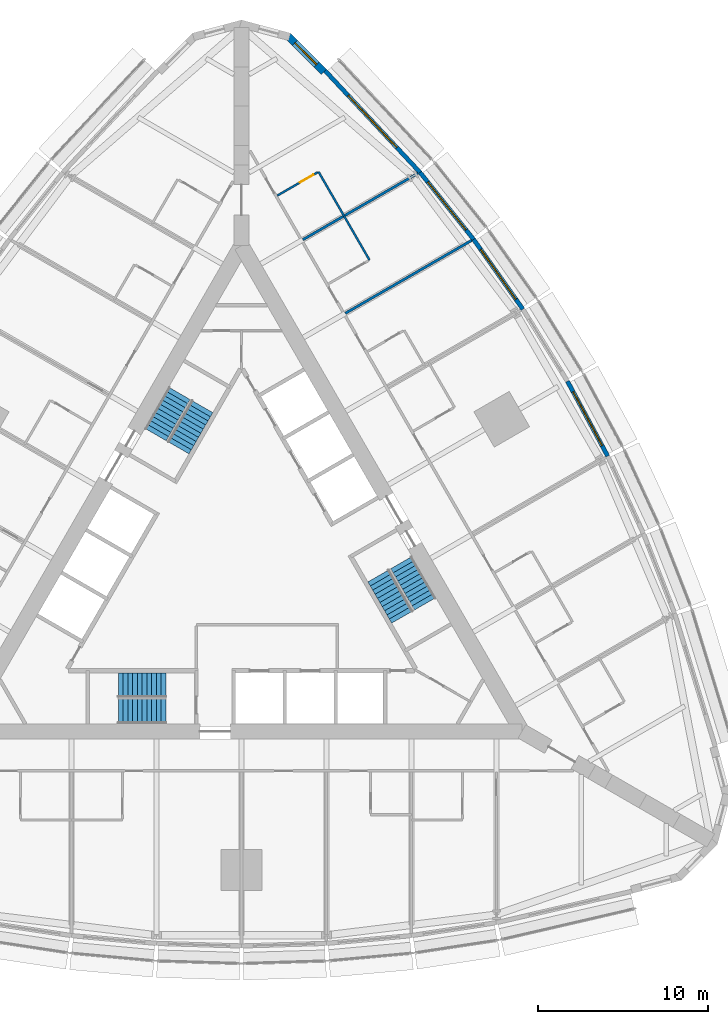
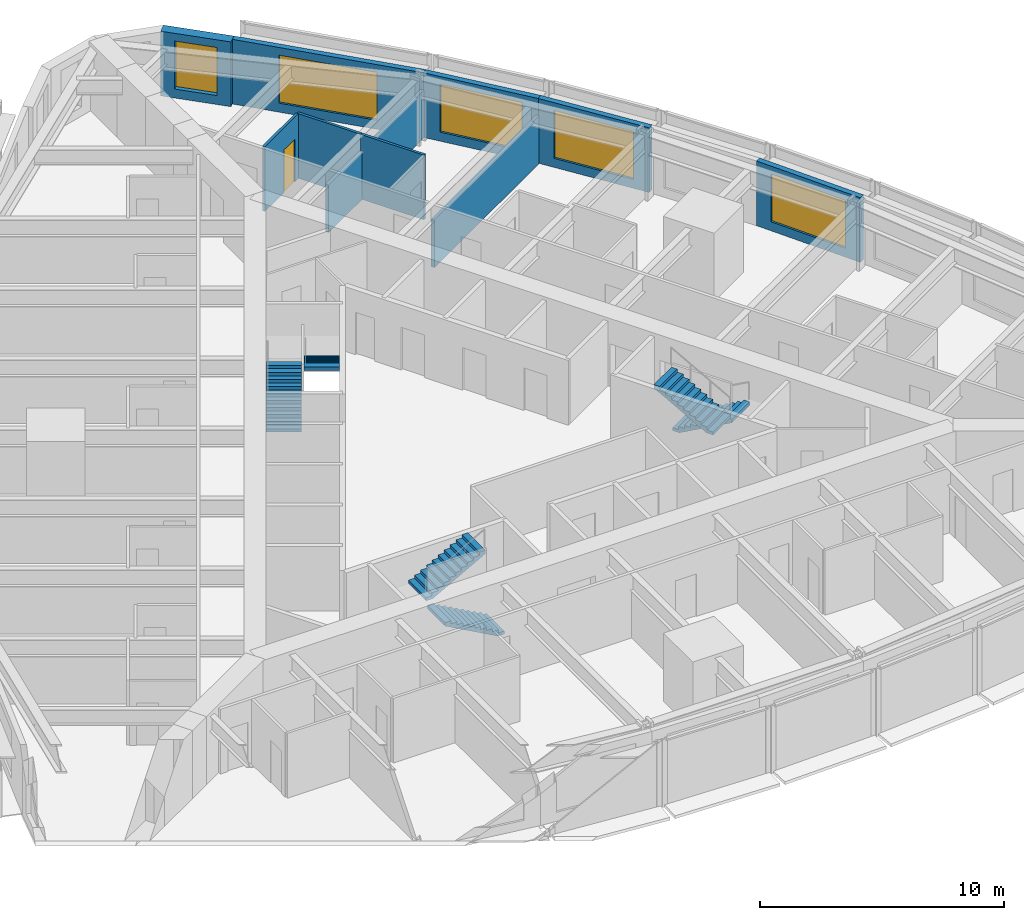
# One storey, part 13 of 14: 10 walls, 6 stair flights, 5 windows, 1 door, 6 openings, 3 elements without a shape of their own.
"""IFC4 building model written with IfcOpenShell, lengths in metres."""

from ifc_helpers import new_model, si_unit, direction, frame, frame_2d, origin, place, context, subcontext, project, spatial, polyline, rectangle, outline, extrude, material, layer, layer_set, type_object, element, fill, aggregate, save


model = new_model("IFC4")

# Units and contexts
model_context = context("Model", 3, precision=1e-05, world=origin(), true_north=direction((0.0, 1.0)))
body_context = subcontext(model_context, "Body", "Model", "MODEL_VIEW")
ifc_project = project(units=[si_unit("LENGTHUNIT", "METRE"), si_unit("AREAUNIT", "SQUARE_METRE"), si_unit("VOLUMEUNIT", "CUBIC_METRE"), si_unit("PLANEANGLEUNIT", "RADIAN"), si_unit("MASSUNIT", "GRAM", prefix="KILO")], contexts=[model_context])

# Site, building, storey
site_placement = place(None, origin())
site = spatial("IfcSite", under=ifc_project, at=site_placement, CompositionType="ELEMENT")
building_placement = place(site_placement, origin())
building = spatial("IfcBuilding", under=site, at=building_placement, Name="Trikona Tower", CompositionType="ELEMENT")
storey_placement = place(building_placement, frame((0.0, 0.0, 42.10009765625)))
storey = spatial("IfcBuildingStorey", under=building, at=storey_placement, Name="L09", CompositionType="ELEMENT", Elevation=42.10009765625)

# Walls
ifc_material_1 = material(Name="Metal stud and cement board", Category="gypsum")
ifc_layer_1 = layer(ifc_material_1, 0.1201171875)
ifc_layer_set_1 = layer_set([ifc_layer_1], Name="Bathroom wall 120")
wall_type_1 = type_object("IfcWallType", Name="Bathroom wall 120", PredefinedType="PLUMBINGWALL", material=ifc_layer_set_1)
for number, where, z_axis, x_axis, name in (
    (1, (7.53271484375, 18.205322265625, 0.0), (0.0, 0.0, 1.0), (-0.499990139034, 0.866031096941, 0.0), "Bathroom wall 0911"),
    (2, (6.03271484375, 20.803466796875, 0.0), (0.0, 0.0, 1.0), (-0.499990139034, 0.866031096941, 0.0), "Bathroom wall 0912"),
):
    element("IfcWall", number, at=place(storey_placement, frame(where, z_axis=z_axis, x_axis=x_axis)), inside=storey, type_object=wall_type_1, Name=name, PredefinedType="PLUMBINGWALL", context=body_context, shape_type="SweptSolid", body=[
        extrude(rectangle(XDim=3.0, YDim=0.1201171875, at=frame_2d((1.5, 0.0))), origin(), (0.0, 0.0, 1.0), 3.23486328125),
    ])

# Wall, opening, door
wall_1_placement = place(storey_placement, frame((2.10791015625, 22.001708984375, 0.0), z_axis=(0.0, 0.0, 1.0), x_axis=(0.866035715982, 0.499982138324, 0.0)))
wall_1 = element("IfcWall", 3, at=wall_1_placement, inside=storey, type_object=wall_type_1, Name="Bathroom wall 0912", PredefinedType="PLUMBINGWALL", context=body_context, shape_type="SweptSolid", body=[
    extrude(rectangle(XDim=2.73974609375, YDim=0.1201171875, at=frame_2d((1.369873046875, 0.0))), origin(), (0.0, 0.0, 1.0), 3.23486328125),
])
opening_1_placement = place(wall_1_placement, frame((1.550048828125, 0.0, 0.0)))
opening_1 = element("IfcOpeningElement", 4, at=opening_1_placement, cuts=wall_1, Name="Opening D2", PredefinedType="OPENING", context=body_context, shape_type="SweptSolid", body=[
    extrude(rectangle(XDim=0.89990234375, YDim=2.1298828125, at=frame_2d((0.449951171875, 1.06494140625))), frame((0.0, 0.070068359375, 0.0), z_axis=(0.0, -1.0, 0.0), x_axis=(1.0, 0.0, 0.0)), (0.0, 0.0, 1.0), 0.14013671875),
])
ifc_material_2 = material(Name="Steel door frame with solid-core timber leaf", Category="steel")
door_type = type_object("IfcDoorType", Name="Bathroom door 900x2130", OperationType="SLIDING_TO_LEFT", PredefinedType="DOOR", material=ifc_material_2)
door_placement = place(opening_1_placement, origin())
door = element("IfcDoor", 5, at=door_placement, inside=storey, type_object=door_type, Name="Bathroom door 0912", OperationType="SLIDING_TO_LEFT", OverallHeight=2.1298828125, OverallWidth=0.89990234375, PredefinedType="DOOR", context=body_context, shape_type="SweptSolid", body=[
    extrude(rectangle(XDim=0.89990234375, YDim=2.1298828125, at=frame_2d((0.449951171875, 1.06494140625))), frame((0.0, 0.02490234375, 0.0), z_axis=(0.0, -1.0, 0.0), x_axis=(1.0, 0.0, 0.0)), (0.0, 0.0, 1.0), 0.050048828125),
])
fill(opening_1, door)

# Wall, opening, window
ifc_material_3 = material(Name="Brick-faced precast concrete", Category="masonry")
ifc_layer_2 = layer(ifc_material_3, 0.449951171875)
ifc_layer_set_2 = layer_set([ifc_layer_2], Name="Brick-faced corner wall 450")
wall_type_2 = type_object("IfcWallType", Name="Brick-faced corner wall 450", PredefinedType="SOLIDWALL", material=ifc_layer_set_2)
wall_2_placement = place(storey_placement, frame((4.8408203125, 29.285888671875, 0.0), z_axis=(0.0, 0.0, 1.0), x_axis=(-0.707106781187, 0.707106781187, 0.0)))
wall_2 = element("IfcWall", 6, at=wall_2_placement, inside=storey, type_object=wall_type_2, Name="External wall L09-20", PredefinedType="SOLIDWALL", context=body_context, shape_type="SweptSolid", body=[
    extrude(rectangle(XDim=2.98828125, YDim=0.449951171875, at=frame_2d((1.494140625, 0.0))), origin(), (0.0, 0.0, 1.0), 3.23486328125),
])
opening_2_placement = place(wall_2_placement, frame((0.59423828125, 0.0, 0.449951171875)))
opening_2 = element("IfcOpeningElement", 7, at=opening_2_placement, cuts=wall_2, Name="Opening W1824", PredefinedType="OPENING", context=body_context, shape_type="SweptSolid", body=[
    extrude(rectangle(XDim=1.800048828125, YDim=2.39990234375, at=frame_2d((0.89990234375, 1.199951171875))), frame((0.0, 0.23486328125, 0.0), z_axis=(0.0, -1.0, 0.0), x_axis=(1.0, 0.0, 0.0)), (0.0, 0.0, 1.0), 0.469970703125),
])
ifc_material_4 = material(Name="Aluminium-framed double glazing", Category="aluminium")
window_type_1 = type_object("IfcWindowType", Name="Window 1800x2400", PartitioningType="SINGLE_PANEL", PredefinedType="WINDOW", material=ifc_material_4)
window_1_placement = place(opening_2_placement, origin())
window_1 = element("IfcWindow", 8, at=window_1_placement, inside=storey, type_object=window_type_1, Name="Window 0912", OverallHeight=2.39990234375, OverallWidth=1.800048828125, PartitioningType="SINGLE_PANEL", PredefinedType="WINDOW", context=body_context, shape_type="SweptSolid", body=[
    extrude(rectangle(XDim=1.800048828125, YDim=2.39990234375, at=frame_2d((0.89990234375, 1.199951171875))), frame((0.0, 0.030029296875, 0.0), z_axis=(0.0, -1.0, 0.0), x_axis=(1.0, 0.0, 0.0)), (0.0, 0.0, 1.0), 0.06005859375),
])
fill(opening_2, window_1)

ifc_material_5 = material(Name="Insulated precast concrete spandrel panel", Category="concrete")
ifc_layer_3 = layer(ifc_material_5, 0.25)
ifc_layer_set_3 = layer_set([ifc_layer_3], Name="Inner skin wall 250")
wall_type_3 = type_object("IfcWallType", Name="Inner skin wall 250", PredefinedType="STANDARD", material=ifc_layer_set_3)
wall_3_placement = place(storey_placement, frame((21.546630859375, 6.6708984375, 0.0), z_axis=(0.0, 0.0, 1.0), x_axis=(-0.473412820489, 0.880840678782, 0.0)))
wall_3 = element("IfcWall", 9, at=wall_3_placement, inside=storey, type_object=wall_type_3, Name="External wall L09-15", PredefinedType="STANDARD", context=body_context, shape_type="SweptSolid", body=[
    extrude(rectangle(XDim=5.00244140625, YDim=0.25, at=frame_2d((2.501220703125, 0.0))), origin(), (0.0, 0.0, 1.0), 3.23486328125),
])
opening_3_placement = place(wall_3_placement, frame((0.701171875, 0.0, 0.449951171875)))
opening_3 = element("IfcOpeningElement", 10, at=opening_3_placement, cuts=wall_3, Name="Opening W3624", PredefinedType="OPENING", context=body_context, shape_type="SweptSolid", body=[
    extrude(rectangle(XDim=3.60009765625, YDim=2.39990234375, at=frame_2d((1.800048828125, 1.199951171875))), frame((0.0, 0.135009765625, 0.0), z_axis=(0.0, -1.0, 0.0), x_axis=(1.0, 0.0, 0.0)), (0.0, 0.0, 1.0), 0.27001953125),
])
ifc_material_6 = material(Name="Aluminium-framed double glazing", Category="aluminium")
window_type_2 = type_object("IfcWindowType", Name="Window 3600x2400", PartitioningType="SINGLE_PANEL", PredefinedType="WINDOW", material=ifc_material_6)
window_2_placement = place(opening_3_placement, origin())
window_2 = element("IfcWindow", 11, at=window_2_placement, inside=storey, type_object=window_type_2, Name="Window 0909", OverallHeight=2.39990234375, OverallWidth=3.60009765625, PartitioningType="SINGLE_PANEL", PredefinedType="WINDOW", context=body_context, shape_type="SweptSolid", body=[
    extrude(rectangle(XDim=3.60009765625, YDim=2.39990234375, at=frame_2d((1.800048828125, 1.199951171875))), frame((0.0, 0.030029296875, 0.0), z_axis=(0.0, -1.0, 0.0), x_axis=(1.0, 0.0, 0.0)), (0.0, 0.0, 1.0), 0.06005859375),
])
fill(opening_3, window_2)

wall_4_placement = place(storey_placement, frame((16.5546875, 15.318115234375, 0.0), z_axis=(0.0, 0.0, 1.0), x_axis=(-0.5766431066, 0.81699616132, 0.0)))
wall_4 = element("IfcWall", 12, at=wall_4_placement, inside=storey, type_object=wall_type_3, Name="External wall L09-17", PredefinedType="STANDARD", context=body_context, shape_type="SweptSolid", body=[
    extrude(rectangle(XDim=5.02099609375, YDim=0.25, at=frame_2d((2.510498046875, 0.0))), origin(), (0.0, 0.0, 1.0), 3.23486328125),
])
opening_4_placement = place(wall_4_placement, frame((0.71044921875, 0.0, 0.449951171875)))
opening_4 = element("IfcOpeningElement", 13, at=opening_4_placement, cuts=wall_4, Name="Opening W3624", PredefinedType="OPENING", context=body_context, shape_type="SweptSolid", body=[
    extrude(rectangle(XDim=3.60009765625, YDim=2.39990234375, at=frame_2d((1.800048828125, 1.199951171875))), frame((0.0, 0.135009765625, 0.0), z_axis=(0.0, -1.0, 0.0), x_axis=(1.0, 0.0, 0.0)), (0.0, 0.0, 1.0), 0.27001953125),
])
window_3_placement = place(opening_4_placement, origin())
window_3 = element("IfcWindow", 14, at=window_3_placement, inside=storey, type_object=window_type_2, Name="Window 0910", OverallHeight=2.39990234375, OverallWidth=3.60009765625, PartitioningType="SINGLE_PANEL", PredefinedType="WINDOW", context=body_context, shape_type="SweptSolid", body=[
    extrude(rectangle(XDim=3.60009765625, YDim=2.39990234375, at=frame_2d((1.800048828125, 1.199951171875))), frame((0.0, 0.030029296875, 0.0), z_axis=(0.0, -1.0, 0.0), x_axis=(1.0, 0.0, 0.0)), (0.0, 0.0, 1.0), 0.06005859375),
])
fill(opening_4, window_3)

wall_5_placement = place(storey_placement, frame((13.663818359375, 19.4140625, 0.0), z_axis=(0.0, 0.0, 1.0), x_axis=(-0.624594965756, 0.780948864364, 0.0)))
wall_5 = element("IfcWall", 15, at=wall_5_placement, inside=storey, type_object=wall_type_3, Name="External wall L09-18", PredefinedType="STANDARD", context=body_context, shape_type="SweptSolid", body=[
    extrude(rectangle(XDim=5.0576171875, YDim=0.25, at=frame_2d((2.52880859375, 0.0))), origin(), (0.0, 0.0, 1.0), 3.23486328125),
])
opening_5_placement = place(wall_5_placement, frame((0.728759765625, 0.0, 0.449951171875)))
opening_5 = element("IfcOpeningElement", 16, at=opening_5_placement, cuts=wall_5, Name="Opening W3624", PredefinedType="OPENING", context=body_context, shape_type="SweptSolid", body=[
    extrude(rectangle(XDim=3.60009765625, YDim=2.39990234375, at=frame_2d((1.800048828125, 1.199951171875))), frame((0.0, 0.135009765625, 0.0), z_axis=(0.0, -1.0, 0.0), x_axis=(1.0, 0.0, 0.0)), (0.0, 0.0, 1.0), 0.27001953125),
])
window_4_placement = place(opening_5_placement, origin())
window_4 = element("IfcWindow", 17, at=window_4_placement, inside=storey, type_object=window_type_2, Name="Window 0911", OverallHeight=2.39990234375, OverallWidth=3.60009765625, PartitioningType="SINGLE_PANEL", PredefinedType="WINDOW", context=body_context, shape_type="SweptSolid", body=[
    extrude(rectangle(XDim=3.60009765625, YDim=2.39990234375, at=frame_2d((1.800048828125, 1.199951171875))), frame((0.0, 0.030029296875, 0.0), z_axis=(0.0, -1.0, 0.0), x_axis=(1.0, 0.0, 0.0)), (0.0, 0.0, 1.0), 0.06005859375),
])
fill(opening_5, window_4)

wall_6_placement = place(storey_placement, frame((10.510986328125, 23.356689453125, 0.0), z_axis=(0.0, 0.0, 1.0), x_axis=(-0.682289646561, 0.731081964075, 0.0)))
wall_6 = element("IfcWall", 18, at=wall_6_placement, inside=storey, type_object=wall_type_3, Name="External wall L09-19", PredefinedType="STANDARD", context=body_context, shape_type="SweptSolid", body=[
    extrude(rectangle(XDim=8.2109375, YDim=0.25, at=frame_2d((4.10546875, 0.0))), origin(), (0.0, 0.0, 1.0), 3.23486328125),
])
opening_6_placement = place(wall_6_placement, frame((2.005615234375, 0.0, 0.449951171875)))
opening_6 = element("IfcOpeningElement", 19, at=opening_6_placement, cuts=wall_6, Name="Opening W4224", PredefinedType="OPENING", context=body_context, shape_type="SweptSolid", body=[
    extrude(rectangle(XDim=4.199951171875, YDim=2.39990234375, at=frame_2d((2.10009765625, 1.199951171875))), frame((0.0, 0.135009765625, 0.0), z_axis=(0.0, -1.0, 0.0), x_axis=(1.0, 0.0, 0.0)), (0.0, 0.0, 1.0), 0.27001953125),
])
ifc_material_7 = material(Name="Aluminium-framed double glazing", Category="aluminium")
window_type_3 = type_object("IfcWindowType", Name="Window 4200x2400", PartitioningType="SINGLE_PANEL", PredefinedType="WINDOW", material=ifc_material_7)
window_5_placement = place(opening_6_placement, origin())
window_5 = element("IfcWindow", 20, at=window_5_placement, inside=storey, type_object=window_type_3, Name="Window 0912", OverallHeight=2.39990234375, OverallWidth=4.199951171875, PartitioningType="SINGLE_PANEL", PredefinedType="WINDOW", context=body_context, shape_type="SweptSolid", body=[
    extrude(rectangle(XDim=4.199951171875, YDim=2.39990234375, at=frame_2d((2.10009765625, 1.199951171875))), frame((0.0, 0.030029296875, 0.0), z_axis=(0.0, -1.0, 0.0), x_axis=(1.0, 0.0, 0.0)), (0.0, 0.0, 1.0), 0.06005859375),
])
fill(opening_6, window_5)

# Walls
ifc_material_8 = material(Name="Metal stud and gypsum board, 1-hour acoustic", Category="gypsum")
ifc_layer_4 = layer(ifc_material_8, 0.14990234375)
ifc_layer_set_4 = layer_set([ifc_layer_4], Name="Party wall 150")
wall_type_4 = type_object("IfcWallType", Name="Party wall 150", PredefinedType="PARTITIONING", material=ifc_layer_set_4)
wall_7_placement = place(storey_placement, frame((6.10791015625, 15.073486328125, 0.0), z_axis=(0.0, 0.0, 1.0), x_axis=(0.866031196456, 0.499989966665, 0.0)))
element("IfcWall", 21, at=wall_7_placement, inside=storey, type_object=wall_type_4, Name="Partition L09 F2 u10", PredefinedType="PARTITIONING", context=body_context, shape_type="SweptSolid", body=[
    extrude(rectangle(XDim=8.584716796875, YDim=0.14990234375, at=frame_2d((4.29248046875, 0.0))), origin(), (0.0, 0.0, 1.0), 2.38916015625),
])
wall_8_placement = place(storey_placement, frame((3.60791015625, 19.403564453125, 0.0), z_axis=(0.0, 0.0, 1.0), x_axis=(0.866021300503, 0.500007107024, 0.0)))
element("IfcWall", 22, at=wall_8_placement, inside=storey, type_object=wall_type_4, Name="Partition L09 F2 u15", PredefinedType="PARTITIONING", context=body_context, shape_type="SweptSolid", body=[
    extrude(rectangle(XDim=7.8203125, YDim=0.14990234375, at=frame_2d((3.91015625, 0.0))), origin(), (0.0, 0.0, 1.0), 2.38916015625),
])

# Stair, stair flights
ifc_material_9 = material(Name="Concrete f'c 5000 psi", Category="concrete")
stair_type = type_object("IfcStairType", Name="Core stair", PredefinedType="HALF_TURN_STAIR", material=ifc_material_9)
stair_1_placement = place(storey_placement, origin())
stair_1 = element("IfcStair", 23, at=stair_1_placement, inside=storey, type_object=stair_type, Name="Stair A L09", PredefinedType="HALF_TURN_STAIR")
ifc_material_10 = material(Name="Concrete f'c 5000 psi", Category="concrete")
stair_flight_type = type_object("IfcStairFlightType", Name="Core stair flight 1450", PredefinedType="STRAIGHT", material=ifc_material_10)
stair_flight_1_placement = place(storey_placement, frame((-4.449951171875, -8.351318359375, 0.0), z_axis=(0.0, 0.0, 1.0), x_axis=(-1.0, 0.0, 0.0)))
stair_flight_1 = element("IfcStairFlight", 24, at=stair_flight_1_placement, type_object=stair_flight_type, Name="ST-A flight 1", NumberOfRisers=11, NumberOfTreads=10, PredefinedType="STRAIGHT", RiserHeight=0.154545, TreadLength=0.28, context=body_context, shape_type="SweptSolid", body=[
    extrude(outline(polyline([(0.0, 0.0), (0.0, 0.154541015625), (0.280029296875, 0.154541015625), (0.280029296875, 0.30908203125), (0.56005859375, 0.30908203125), (0.56005859375, 0.463623046875), (0.840087890625, 0.463623046875), (0.840087890625, 0.6181640625), (1.1201171875, 0.6181640625), (1.1201171875, 0.772705078125), (1.39990234375, 0.772705078125), (1.39990234375, 0.92724609375), (1.679931640625, 0.92724609375), (1.679931640625, 1.081787109375), (1.9599609375, 1.081787109375), (1.9599609375, 1.236328125), (2.239990234375, 1.236328125), (2.239990234375, 1.390869140625), (2.52001953125, 1.390869140625), (2.52001953125, 1.54541015625), (2.800048828125, 1.54541015625), (2.800048828125, 1.699951171875), (2.800048828125, 1.374267578125), (0.310302734375, 0.0), (0.0, 0.0)])), frame((0.0, 0.72509765625, 0.0), z_axis=(0.0, -1.0, 0.0), x_axis=(1.0, 0.0, 0.0)), (0.0, 0.0, 1.0), 1.449951171875),
])
stair_flight_2_placement = place(storey_placement, frame((-7.25, -6.80126953125, 1.699951171875), z_axis=(0.0, 0.0, 1.0), x_axis=(1.0, 0.0, 0.0)))
stair_flight_2 = element("IfcStairFlight", 25, at=stair_flight_2_placement, type_object=stair_flight_type, Name="ST-A flight 2", NumberOfRisers=11, NumberOfTreads=10, PredefinedType="STRAIGHT", RiserHeight=0.154545, TreadLength=0.28, context=body_context, shape_type="SweptSolid", body=[
    extrude(outline(polyline([(0.0, 0.0), (0.0, 0.154541015625), (0.280029296875, 0.154541015625), (0.280029296875, 0.30908203125), (0.56005859375, 0.30908203125), (0.56005859375, 0.463623046875), (0.840087890625, 0.463623046875), (0.840087890625, 0.6181640625), (1.1201171875, 0.6181640625), (1.1201171875, 0.772705078125), (1.39990234375, 0.772705078125), (1.39990234375, 0.92724609375), (1.679931640625, 0.92724609375), (1.679931640625, 1.081787109375), (1.9599609375, 1.081787109375), (1.9599609375, 1.236328125), (2.239990234375, 1.236328125), (2.239990234375, 1.390869140625), (2.52001953125, 1.390869140625), (2.52001953125, 1.54541015625), (2.800048828125, 1.54541015625), (2.800048828125, 1.699951171875), (2.800048828125, 1.374267578125), (0.310302734375, 0.0), (0.0, 0.0)])), frame((0.0, 0.72509765625, 0.0), z_axis=(0.0, -1.0, 0.0), x_axis=(1.0, 0.0, 0.0)), (0.0, 0.0, 1.0), 1.449951171875),
])
aggregate(stair_1, [stair_flight_1, stair_flight_2])

stair_2_placement = place(storey_placement, origin())
stair_2 = element("IfcStair", 26, at=stair_2_placement, inside=storey, type_object=stair_type, Name="Stair B L09", PredefinedType="HALF_TURN_STAIR")
stair_flight_3_placement = place(storey_placement, frame((9.407470703125, 0.408447265625, 0.0), z_axis=(0.0, 0.0, 1.0), x_axis=(0.5, -0.866025403784, 0.0)))
stair_flight_3 = element("IfcStairFlight", 27, at=stair_flight_3_placement, type_object=stair_flight_type, Name="ST-B flight 1", NumberOfRisers=11, NumberOfTreads=10, PredefinedType="STRAIGHT", RiserHeight=0.154545, TreadLength=0.28, context=body_context, shape_type="SweptSolid", body=[
    extrude(outline(polyline([(0.0, 0.0), (0.0, 0.154541015625), (0.280029296875, 0.154541015625), (0.280029296875, 0.30908203125), (0.56005859375, 0.30908203125), (0.56005859375, 0.463623046875), (0.840087890625, 0.463623046875), (0.840087890625, 0.6181640625), (1.1201171875, 0.6181640625), (1.1201171875, 0.772705078125), (1.39990234375, 0.772705078125), (1.39990234375, 0.92724609375), (1.679931640625, 0.92724609375), (1.679931640625, 1.081787109375), (1.9599609375, 1.081787109375), (1.9599609375, 1.236328125), (2.239990234375, 1.236328125), (2.239990234375, 1.390869140625), (2.52001953125, 1.390869140625), (2.52001953125, 1.54541015625), (2.800048828125, 1.54541015625), (2.800048828125, 1.699951171875), (2.800048828125, 1.374267578125), (0.310302734375, 0.0), (0.0, 0.0)])), frame((0.0, 0.72509765625, 0.0), z_axis=(0.0, -1.0, 0.0), x_axis=(1.0, 0.0, 0.0)), (0.0, 0.0, 1.0), 1.449951171875),
])
stair_flight_4_placement = place(storey_placement, frame((9.465087890625, -2.79150390625, 1.699951171875), z_axis=(0.0, 0.0, 1.0), x_axis=(-0.5, 0.866025403784, 0.0)))
stair_flight_4 = element("IfcStairFlight", 28, at=stair_flight_4_placement, type_object=stair_flight_type, Name="ST-B flight 2", NumberOfRisers=11, NumberOfTreads=10, PredefinedType="STRAIGHT", RiserHeight=0.154545, TreadLength=0.28, context=body_context, shape_type="SweptSolid", body=[
    extrude(outline(polyline([(0.0, 0.0), (0.0, 0.154541015625), (0.280029296875, 0.154541015625), (0.280029296875, 0.30908203125), (0.56005859375, 0.30908203125), (0.56005859375, 0.463623046875), (0.840087890625, 0.463623046875), (0.840087890625, 0.6181640625), (1.1201171875, 0.6181640625), (1.1201171875, 0.772705078125), (1.39990234375, 0.772705078125), (1.39990234375, 0.92724609375), (1.679931640625, 0.92724609375), (1.679931640625, 1.081787109375), (1.9599609375, 1.081787109375), (1.9599609375, 1.236328125), (2.239990234375, 1.236328125), (2.239990234375, 1.390869140625), (2.52001953125, 1.390869140625), (2.52001953125, 1.54541015625), (2.800048828125, 1.54541015625), (2.800048828125, 1.699951171875), (2.800048828125, 1.374267578125), (0.310302734375, 0.0), (0.0, 0.0)])), frame((0.0, 0.72509765625, 0.0), z_axis=(0.0, -1.0, 0.0), x_axis=(1.0, 0.0, 0.0)), (0.0, 0.0, 1.0), 1.449951171875),
])
aggregate(stair_2, [stair_flight_3, stair_flight_4])

stair_3_placement = place(storey_placement, origin())
stair_3 = element("IfcStair", 29, at=stair_3_placement, inside=storey, type_object=stair_type, Name="Stair C L09", PredefinedType="HALF_TURN_STAIR")
stair_flight_5_placement = place(storey_placement, frame((-5.057373046875, 7.94287109375, 0.0), z_axis=(0.0, 0.0, 1.0), x_axis=(0.5, 0.866025403784, 0.0)))
stair_flight_5 = element("IfcStairFlight", 30, at=stair_flight_5_placement, type_object=stair_flight_type, Name="ST-C flight 1", NumberOfRisers=11, NumberOfTreads=10, PredefinedType="STRAIGHT", RiserHeight=0.154545, TreadLength=0.28, context=body_context, shape_type="SweptSolid", body=[
    extrude(outline(polyline([(0.0, 0.0), (0.0, 0.154541015625), (0.280029296875, 0.154541015625), (0.280029296875, 0.30908203125), (0.56005859375, 0.30908203125), (0.56005859375, 0.463623046875), (0.840087890625, 0.463623046875), (0.840087890625, 0.6181640625), (1.1201171875, 0.6181640625), (1.1201171875, 0.772705078125), (1.39990234375, 0.772705078125), (1.39990234375, 0.92724609375), (1.679931640625, 0.92724609375), (1.679931640625, 1.081787109375), (1.9599609375, 1.081787109375), (1.9599609375, 1.236328125), (2.239990234375, 1.236328125), (2.239990234375, 1.390869140625), (2.52001953125, 1.390869140625), (2.52001953125, 1.54541015625), (2.800048828125, 1.54541015625), (2.800048828125, 1.699951171875), (2.800048828125, 1.374267578125), (0.310302734375, 0.0), (0.0, 0.0)])), frame((0.0, 0.72509765625, 0.0), z_axis=(0.0, -1.0, 0.0), x_axis=(1.0, 0.0, 0.0)), (0.0, 0.0, 1.0), 1.449951171875),
])
stair_flight_6_placement = place(storey_placement, frame((-2.315185546875, 9.5927734375, 1.699951171875), z_axis=(0.0, 0.0, 1.0), x_axis=(-0.5, -0.866025403784, 0.0)))
stair_flight_6 = element("IfcStairFlight", 31, at=stair_flight_6_placement, type_object=stair_flight_type, Name="ST-C flight 2", NumberOfRisers=11, NumberOfTreads=10, PredefinedType="STRAIGHT", RiserHeight=0.154545, TreadLength=0.28, context=body_context, shape_type="SweptSolid", body=[
    extrude(outline(polyline([(0.0, 0.0), (0.0, 0.154541015625), (0.280029296875, 0.154541015625), (0.280029296875, 0.30908203125), (0.56005859375, 0.30908203125), (0.56005859375, 0.463623046875), (0.840087890625, 0.463623046875), (0.840087890625, 0.6181640625), (1.1201171875, 0.6181640625), (1.1201171875, 0.772705078125), (1.39990234375, 0.772705078125), (1.39990234375, 0.92724609375), (1.679931640625, 0.92724609375), (1.679931640625, 1.081787109375), (1.9599609375, 1.081787109375), (1.9599609375, 1.236328125), (2.239990234375, 1.236328125), (2.239990234375, 1.390869140625), (2.52001953125, 1.390869140625), (2.52001953125, 1.54541015625), (2.800048828125, 1.54541015625), (2.800048828125, 1.699951171875), (2.800048828125, 1.374267578125), (0.310302734375, 0.0), (0.0, 0.0)])), frame((0.0, 0.72509765625, 0.0), z_axis=(0.0, -1.0, 0.0), x_axis=(1.0, 0.0, 0.0)), (0.0, 0.0, 1.0), 1.449951171875),
])
aggregate(stair_3, [stair_flight_5, stair_flight_6])

save(model, "model.ifc")
